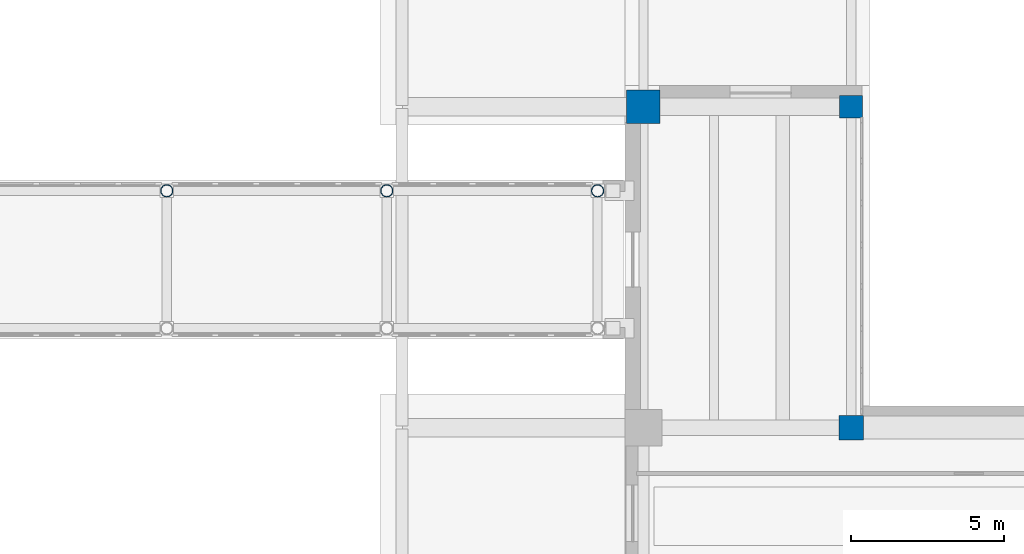
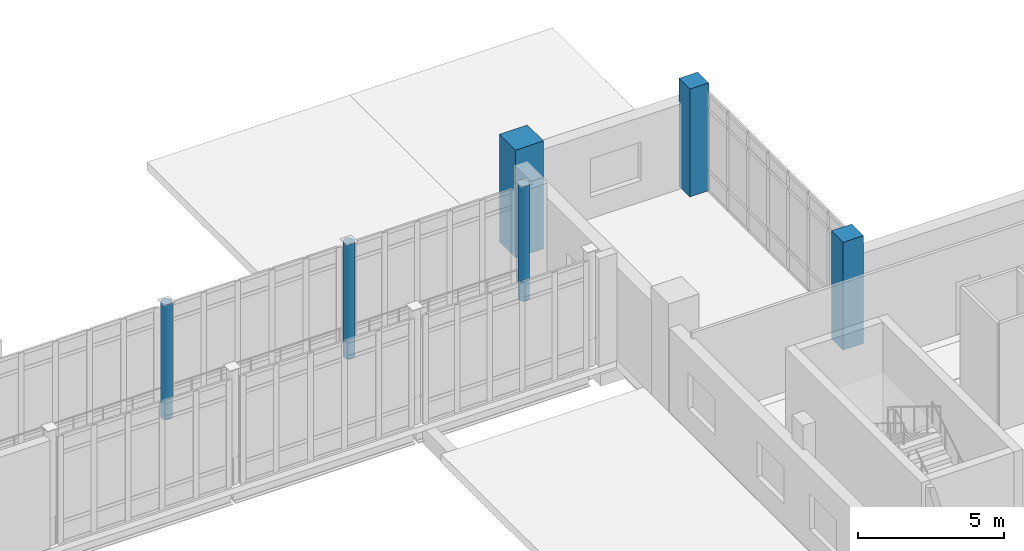
# One storey, part 4 of 75: 6 columns.
"""IFC4 building model written with IfcOpenShell, lengths in metres."""

from ifc_helpers import new_model, si_unit, direction, frame, origin, origin_2d, place, context, subcontext, project, spatial, rectangle, hollow_circle, extrude, material, material_profile, profile_set, type_object, element, save


model = new_model("IFC4")

# Units and contexts
model_context = context("Model", 3, precision=1e-05, world=origin(), true_north=direction((0.0, 1.0)))
body_context = subcontext(model_context, "Body", "Model", "MODEL_VIEW")
ifc_project = project(units=[si_unit("LENGTHUNIT", "METRE"), si_unit("AREAUNIT", "SQUARE_METRE"), si_unit("VOLUMEUNIT", "CUBIC_METRE"), si_unit("PLANEANGLEUNIT", "RADIAN"), si_unit("MASSUNIT", "GRAM", prefix="KILO")], contexts=[model_context])

# Site, building, storey
site_placement = place(None, origin())
site = spatial("IfcSite", under=ifc_project, at=site_placement, CompositionType="ELEMENT")
building_placement = place(site_placement, origin())
building = spatial("IfcBuilding", under=site, at=building_placement, Name="Soyqirgoq Riverine Aquarium", CompositionType="ELEMENT")
storey_placement = place(building_placement, frame((0.0, 0.0, 10.199951171875)))
storey = spatial("IfcBuildingStorey", under=building, at=storey_placement, Name="L03", CompositionType="ELEMENT", Elevation=10.199951171875)

# Columns
ifc_material_1 = material(Name="Waterproof concrete C45/55", Category="concrete")
ifc_material_profile_1 = material_profile(ifc_material_1, rectangle(XDim=1.10009765625, YDim=1.10009765625, at=origin_2d()), Name="RC 1100x1100")
ifc_profile_set_1 = profile_set([ifc_material_profile_1], Name="Waterproof concrete C45/55")
column_type_1 = type_object("IfcColumnType", Name="Col_RC_1100x1100", PredefinedType="COLUMN", material=ifc_profile_set_1)
column_1_placement = place(storey_placement, frame((122.60009765625, 84.800048828125, 0.0), z_axis=(0.0, 0.0, 1.0), x_axis=(1.0, 0.0, 0.0)))
element("IfcColumn", 1, at=column_1_placement, inside=storey, type_object=column_type_1, Name="V7 Column V7-C-11 L03", PredefinedType="COLUMN", context=body_context, shape_type="SweptSolid", body=[
    extrude(rectangle(XDim=1.10009765625, YDim=1.10009765625, at=origin_2d()), origin(), (0.0, 0.0, 1.0), 4.5),
])
ifc_material_2 = material(Name="Concrete C40/50", Category="concrete")
ifc_material_profile_2 = material_profile(ifc_material_2, rectangle(XDim=0.75, YDim=0.75, at=origin_2d()), Name="RC 750x750")
ifc_profile_set_2 = profile_set([ifc_material_profile_2], Name="Concrete C40/50")
column_type_2 = type_object("IfcColumnType", Name="Col_RC_750x750", PredefinedType="COLUMN", material=ifc_profile_set_2)
column_2_placement = place(storey_placement, frame((129.39990234375, 84.800048828125, 0.0), z_axis=(0.0, 0.0, 1.0), x_axis=(1.0, 0.0, 0.0)))
element("IfcColumn", 2, at=column_2_placement, inside=storey, type_object=column_type_2, Name="V7 Column V7-C-17 L03", PredefinedType="COLUMN", context=body_context, shape_type="SweptSolid", body=[
    extrude(rectangle(XDim=0.75, YDim=0.75, at=origin_2d()), origin(), (0.0, 0.0, 1.0), 4.5),
])
ifc_material_3 = material(Name="Concrete C40/50", Category="concrete")
ifc_material_profile_3 = material_profile(ifc_material_3, rectangle(XDim=0.800048828125, YDim=0.800048828125, at=origin_2d()), Name="RC 800x800")
ifc_profile_set_3 = profile_set([ifc_material_profile_3], Name="Concrete C40/50")
column_type_3 = type_object("IfcColumnType", Name="Col_RC_800x800", PredefinedType="COLUMN", material=ifc_profile_set_3)
column_3_placement = place(storey_placement, frame((129.39990234375, 74.300048828125, 0.0), z_axis=(0.0, 0.0, 1.0), x_axis=(1.0, 0.0, 0.0)))
element("IfcColumn", 3, at=column_3_placement, inside=storey, type_object=column_type_3, Name="V7 Column V7-C-16 L03", PredefinedType="COLUMN", context=body_context, shape_type="SweptSolid", body=[
    extrude(rectangle(XDim=0.800048828125, YDim=0.800048828125, at=origin_2d()), origin(), (0.0, 0.0, 1.0), 4.5),
])
ifc_material_4 = material(Name="Structural steel S355", Category="steel")
ifc_material_profile_4 = material_profile(ifc_material_4, hollow_circle(Radius=0.203125, WallThickness=0.01611328125, at=origin_2d()), Name="CHS 406.4x16")
ifc_profile_set_4 = profile_set([ifc_material_profile_4], Name="Structural steel S355")
column_type_4 = type_object("IfcColumnType", Name="Col_Steel_CHS406", PredefinedType="COLUMN", material=ifc_profile_set_4)
for number, where, z_axis, x_axis, name in (
    (4, (107.0, 82.050048828125, 0.0), (0.0, 0.0, 1.0), (1.0, 0.0, 0.0), "Bridge Pier Column BR-2-CP-107-N L03"),
    (5, (114.199951171875, 82.050048828125, 0.0), (0.0, 0.0, 1.0), (1.0, 0.0, 0.0), "Bridge Pier Column BR-2-CP-114-N L03"),
    (6, (121.10009765625, 82.050048828125, 0.0), (0.0, 0.0, 1.0), (1.0, 0.0, 0.0), "Bridge Pier Column BR-2-CP-121-N L03"),
):
    element("IfcColumn", number, at=place(storey_placement, frame(where, z_axis=z_axis, x_axis=x_axis)), inside=storey, type_object=column_type_4, Name=name, PredefinedType="COLUMN", context=body_context, shape_type="SweptSolid", body=[
        extrude(hollow_circle(Radius=0.203125, WallThickness=0.01611328125, at=origin_2d()), origin(), (0.0, 0.0, 1.0), 4.800048828125),
    ])

save(model, "model.ifc")
